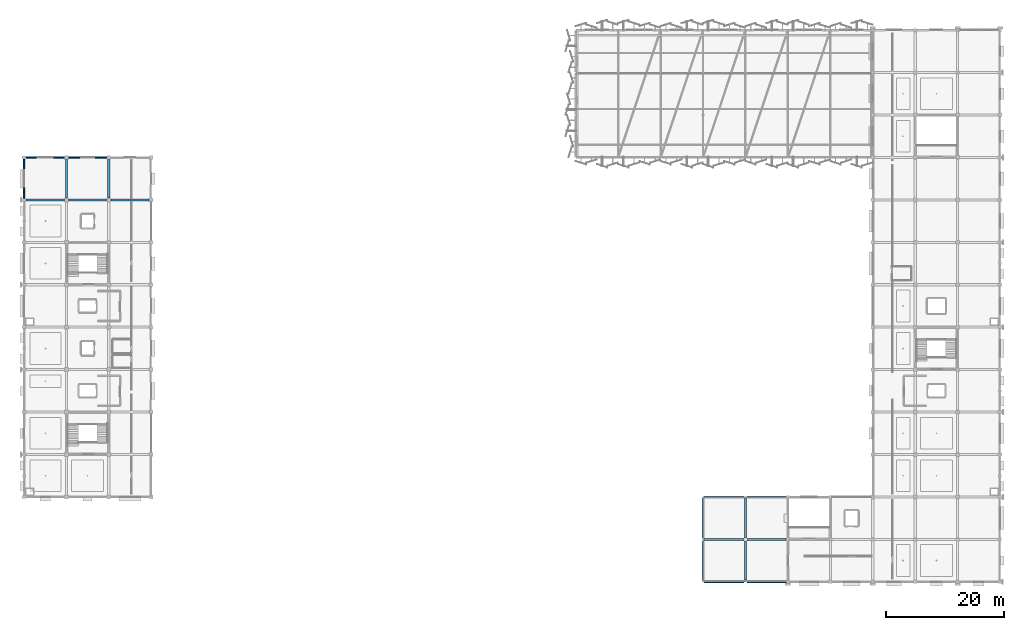
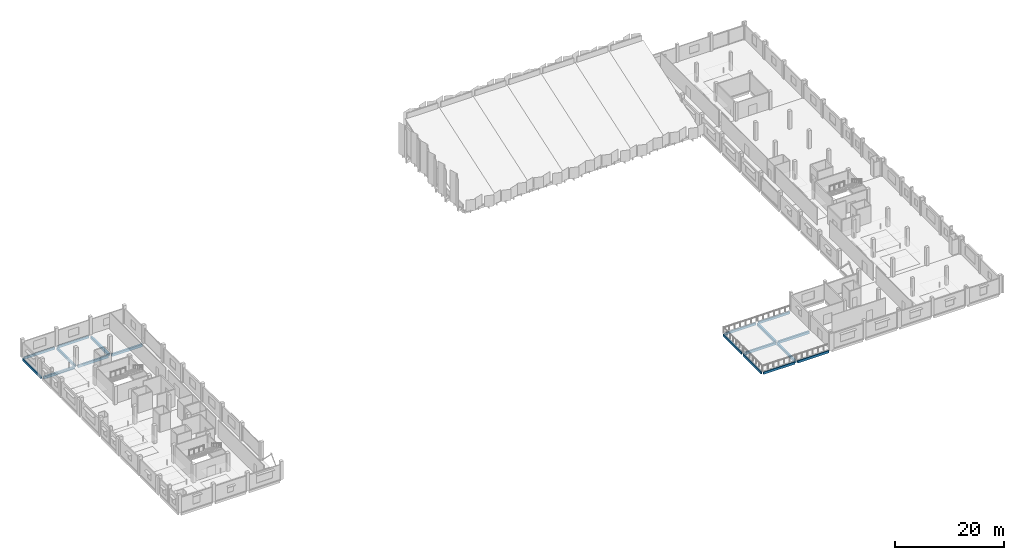
# One storey, part 7 of 59: 18 beams.
"""IFC4 building model written with IfcOpenShell, lengths in metres."""

from ifc_helpers import new_model, si_unit, direction, frame, origin, origin_2d, place, context, subcontext, project, spatial, rectangle, extrude, material, material_profile, profile_set, type_object, element, save


model = new_model("IFC4")

# Units and contexts
model_context = context("Model", 3, precision=1e-05, world=origin(), true_north=direction((0.0, 1.0)))
body_context = subcontext(model_context, "Body", "Model", "MODEL_VIEW")
ifc_project = project(units=[si_unit("LENGTHUNIT", "METRE"), si_unit("AREAUNIT", "SQUARE_METRE"), si_unit("VOLUMEUNIT", "CUBIC_METRE"), si_unit("PLANEANGLEUNIT", "RADIAN"), si_unit("MASSUNIT", "GRAM", prefix="KILO")], contexts=[model_context])

# Site, building, storey
site_placement = place(None, origin())
site = spatial("IfcSite", under=ifc_project, at=site_placement, CompositionType="ELEMENT")
building_placement = place(site_placement, origin())
building = spatial("IfcBuilding", under=site, at=building_placement, Name="Kangsadwip Square Police Headquarters", CompositionType="ELEMENT")
storey_placement = place(building_placement, frame((0.0, 0.0, 21.60009765625)))
storey = spatial("IfcBuildingStorey", under=building, at=storey_placement, Name="L05", CompositionType="ELEMENT", Elevation=21.60009765625)

# Beams
ifc_material_1 = material(Name="Concrete M35 (35 MPa)", Category="concrete")
ifc_material_profile_1 = material_profile(ifc_material_1, rectangle(XDim=0.35009765625, YDim=0.550048828125, at=origin_2d()), Name="RC BM 550X350")
ifc_profile_set_1 = profile_set([ifc_material_profile_1], Name="Concrete M35 (35 MPa)")
beam_type_1 = type_object("IfcBeamType", Name="RcBeam550x350", PredefinedType="BEAM", material=ifc_profile_set_1)
beam_1_placement = place(storey_placement, frame((115.47509765625, 28.800048828125, -0.4951171875), z_axis=(1.0, 0.0, 0.0), x_axis=(0.0, 1.0, 0.0)))
element("IfcBeam", 1, at=beam_1_placement, inside=storey, type_object=beam_type_1, Name="Beam BM-L05-X-16-04", PredefinedType="BEAM", context=body_context, shape_type="SweptSolid", body=[
    extrude(rectangle(XDim=0.35009765625, YDim=0.550048828125, at=origin_2d()), origin(), (0.0, 0.0, 1.0), 6.6748046875),
])
beam_2_placement = place(storey_placement, frame((122.64990234375, 28.800048828125, -0.4951171875), z_axis=(1.0, 0.0, 0.0), x_axis=(0.0, 1.0, 0.0)))
element("IfcBeam", 2, at=beam_2_placement, inside=storey, type_object=beam_type_1, Name="Beam BM-L05-X-17-04", PredefinedType="BEAM", context=body_context, shape_type="SweptSolid", body=[
    extrude(rectangle(XDim=0.35009765625, YDim=0.550048828125, at=origin_2d()), origin(), (0.0, 0.0, 1.0), 6.650146484375),
])
for number, where, z_axis, x_axis, name in (
    (3, (122.39990234375, 21.875, -0.4951171875), (0.0, 1.0, 0.0), (-1.0, 0.0, 0.0), "Beam BM-L05-Y-17-03"),
    (4, (122.39990234375, 29.050048828125, -0.4951171875), (0.0, 1.0, 0.0), (-1.0, 0.0, 0.0), "Beam BM-L05-Y-17-04"),
):
    element("IfcBeam", number, at=place(storey_placement, frame(where, z_axis=z_axis, x_axis=x_axis)), inside=storey, type_object=beam_type_1, Name=name, PredefinedType="BEAM", context=body_context, shape_type="SweptSolid", body=[
        extrude(rectangle(XDim=0.35009765625, YDim=0.550048828125, at=origin_2d()), origin(), (0.0, 0.0, 1.0), 6.675048828125),
    ])
for number, where, z_axis, x_axis, name in (
    (5, (0.35009765625, 86.39990234375, -0.4951171875), (1.0, 0.0, 0.0), (0.0, 1.0, 0.0), "Beam BM-L05-X-00-12"),
    (6, (7.550048828125, 86.39990234375, -0.4951171875), (1.0, 0.0, 0.0), (0.0, 1.0, 0.0), "Beam BM-L05-X-01-12"),
    (7, (14.75, 86.39990234375, -0.4951171875), (1.0, 0.0, 0.0), (0.0, 1.0, 0.0), "Beam BM-L05-X-02-12"),
    (8, (7.199951171875, 86.75, -0.4951171875), (0.0, 1.0, 0.0), (-1.0, 0.0, 0.0), "Beam BM-L05-Y-01-12"),
    (9, (14.39990234375, 86.75, -0.4951171875), (0.0, 1.0, 0.0), (-1.0, 0.0, 0.0), "Beam BM-L05-Y-02-12"),
):
    element("IfcBeam", number, at=place(storey_placement, frame(where, z_axis=z_axis, x_axis=x_axis)), inside=storey, type_object=beam_type_1, Name=name, PredefinedType="BEAM", context=body_context, shape_type="SweptSolid", body=[
        extrude(rectangle(XDim=0.35009765625, YDim=0.550048828125, at=origin_2d()), origin(), (0.0, 0.0, 1.0), 6.5),
    ])
ifc_material_2 = material(Name="Concrete M35 (35 MPa)", Category="concrete")
ifc_material_profile_2 = material_profile(ifc_material_2, rectangle(XDim=0.25, YDim=0.52001953125, at=origin_2d()), Name="RC SPN 520X250")
ifc_profile_set_2 = profile_set([ifc_material_profile_2], Name="Concrete M35 (35 MPa)")
beam_type_2 = type_object("IfcBeamType", Name="RcSpandrel520x250", PredefinedType="SPANDREL", material=ifc_profile_set_2)
beam_3_placement = place(storey_placement, frame((115.449951171875, 21.60009765625, -0.47998046875), z_axis=(1.0, 0.0, 0.0), x_axis=(0.0, 1.0, 0.0)))
element("IfcBeam", 10, at=beam_3_placement, inside=storey, type_object=beam_type_2, Name="Beam BM-L05-X-16-03", PredefinedType="SPANDREL", context=body_context, shape_type="SweptSolid", body=[
    extrude(rectangle(XDim=0.25, YDim=0.52001953125, at=origin_2d()), origin(), (0.0, 0.0, 1.0), 6.675048828125),
])
beam_4_placement = place(storey_placement, frame((122.675048828125, 21.60009765625, -0.47998046875), z_axis=(1.0, 0.0, 0.0), x_axis=(0.0, 1.0, 0.0)))
element("IfcBeam", 11, at=beam_4_placement, inside=storey, type_object=beam_type_2, Name="Beam BM-L05-X-17-03", PredefinedType="SPANDREL", context=body_context, shape_type="SweptSolid", body=[
    extrude(rectangle(XDim=0.25, YDim=0.52001953125, at=origin_2d()), origin(), (0.0, 0.0, 1.0), 6.625),
])
beam_5_placement = place(storey_placement, frame((115.449951171875, 36.0, -0.47998046875), z_axis=(1.0, 0.0, 0.0), x_axis=(0.0, 1.0, 0.0)))
element("IfcBeam", 12, at=beam_5_placement, inside=storey, type_object=beam_type_2, Name="Beam BM-L05-X-16-05", PredefinedType="SPANDREL", context=body_context, shape_type="SweptSolid", body=[
    extrude(rectangle(XDim=0.25, YDim=0.52001953125, at=origin_2d()), origin(), (0.0, 0.0, 1.0), 6.675048828125),
])
beam_6_placement = place(storey_placement, frame((122.675048828125, 36.0, -0.47998046875), z_axis=(1.0, 0.0, 0.0), x_axis=(0.0, 1.0, 0.0)))
element("IfcBeam", 13, at=beam_6_placement, inside=storey, type_object=beam_type_2, Name="Beam BM-L05-X-17-05", PredefinedType="SPANDREL", context=body_context, shape_type="SweptSolid", body=[
    extrude(rectangle(XDim=0.25, YDim=0.52001953125, at=origin_2d()), origin(), (0.0, 0.0, 1.0), 6.625),
])
beam_7_placement = place(storey_placement, frame((115.199951171875, 21.85009765625, -0.47998046875), z_axis=(0.0, 1.0, 0.0), x_axis=(-1.0, 0.0, 0.0)))
element("IfcBeam", 14, at=beam_7_placement, inside=storey, type_object=beam_type_2, Name="Beam BM-L05-Y-16-03", PredefinedType="SPANDREL", context=body_context, shape_type="SweptSolid", body=[
    extrude(rectangle(XDim=0.25, YDim=0.52001953125, at=origin_2d()), origin(), (0.0, 0.0, 1.0), 6.6748046875),
])
beam_8_placement = place(storey_placement, frame((115.199951171875, 29.074951171875, -0.47998046875), z_axis=(0.0, 1.0, 0.0), x_axis=(-1.0, 0.0, 0.0)))
element("IfcBeam", 15, at=beam_8_placement, inside=storey, type_object=beam_type_2, Name="Beam BM-L05-Y-16-04", PredefinedType="SPANDREL", context=body_context, shape_type="SweptSolid", body=[
    extrude(rectangle(XDim=0.25, YDim=0.52001953125, at=origin_2d()), origin(), (0.0, 0.0, 1.0), 6.675048828125),
])
for number, where, z_axis, x_axis, name in (
    (16, (0.35009765625, 93.60009765625, -0.47998046875), (1.0, 0.0, 0.0), (0.0, 1.0, 0.0), "Beam BM-L05-X-00-13"),
    (17, (7.550048828125, 93.60009765625, -0.47998046875), (1.0, 0.0, 0.0), (0.0, 1.0, 0.0), "Beam BM-L05-X-01-13"),
):
    element("IfcBeam", number, at=place(storey_placement, frame(where, z_axis=z_axis, x_axis=x_axis)), inside=storey, type_object=beam_type_2, Name=name, PredefinedType="SPANDREL", context=body_context, shape_type="SweptSolid", body=[
        extrude(rectangle(XDim=0.25, YDim=0.52001953125, at=origin_2d()), origin(), (0.0, 0.0, 1.0), 6.5),
    ])
beam_9_placement = place(storey_placement, frame((0.0, 86.64990234375, -0.47998046875), z_axis=(0.0, 1.0, 0.0), x_axis=(-1.0, 0.0, 0.0)))
element("IfcBeam", 18, at=beam_9_placement, inside=storey, type_object=beam_type_2, Name="Beam BM-L05-Y-00-12", PredefinedType="SPANDREL", context=body_context, shape_type="SweptSolid", body=[
    extrude(rectangle(XDim=0.25, YDim=0.52001953125, at=origin_2d()), origin(), (0.0, 0.0, 1.0), 6.7001953125),
])

save(model, "model.ifc")
